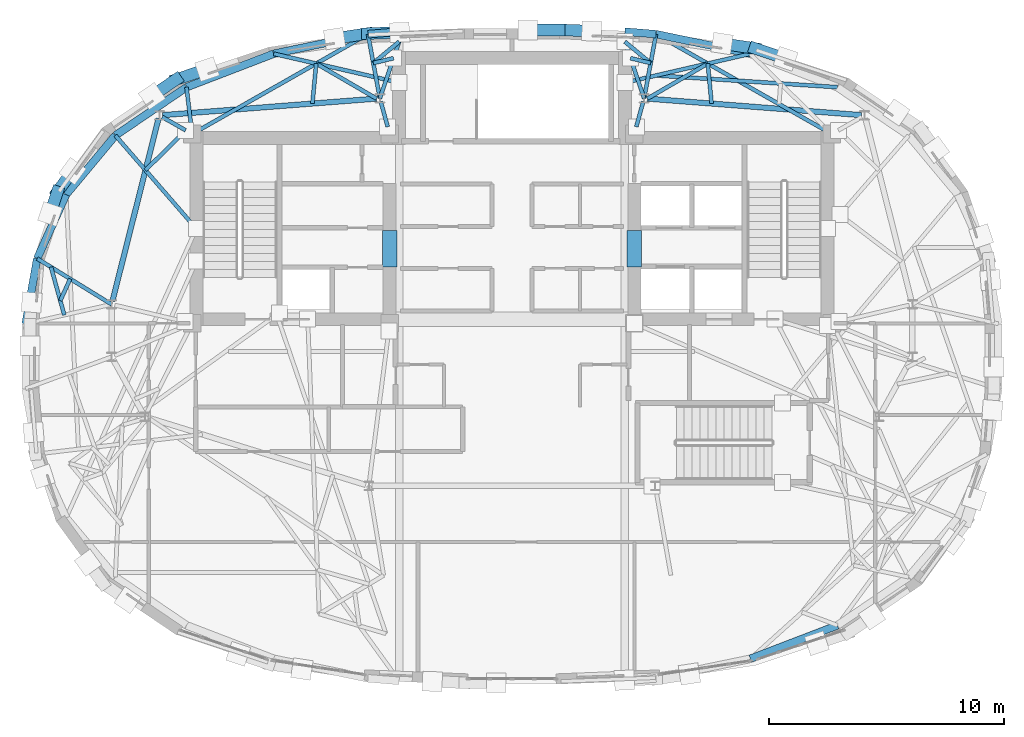
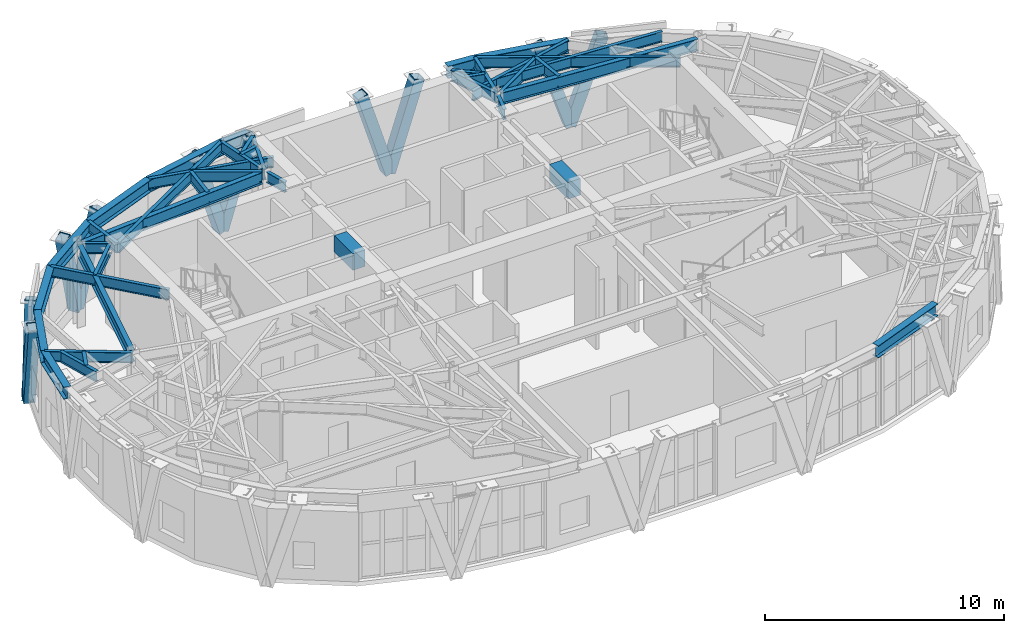
# One storey, part 5 of 16: 41 beams, 10 members.
"""IFC4 building model written with IfcOpenShell, lengths in metres."""

from ifc_helpers import new_model, si_unit, direction, frame, origin, origin_2d, place, context, subcontext, project, spatial, rectangle, hollow_rectangle, i_section, extrude, material, material_profile, profile_set, type_object, element, save


model = new_model("IFC4")

# Units and contexts
model_context = context("Model", 3, precision=1e-05, world=origin(), true_north=direction((0.0, 1.0)))
body_context = subcontext(model_context, "Body", "Model", "MODEL_VIEW")
ifc_project = project(units=[si_unit("LENGTHUNIT", "METRE"), si_unit("AREAUNIT", "SQUARE_METRE"), si_unit("VOLUMEUNIT", "CUBIC_METRE"), si_unit("PLANEANGLEUNIT", "RADIAN"), si_unit("MASSUNIT", "GRAM", prefix="KILO")], contexts=[model_context])

# Site, building, storey
site_placement = place(None, origin())
site = spatial("IfcSite", under=ifc_project, at=site_placement, CompositionType="ELEMENT")
building_placement = place(site_placement, origin())
building = spatial("IfcBuilding", under=site, at=building_placement, Name="Keldmark Tower", CompositionType="ELEMENT")
storey_placement = place(building_placement, frame((0.0, 0.0, 264.800048828125)))
storey = spatial("IfcBuildingStorey", under=building, at=storey_placement, Name="L75", CompositionType="ELEMENT", Elevation=264.800048828125)

# Beams
ifc_material_1 = material(Name="Concrete C50/60", Category="concrete")
ifc_material_profile_1 = material_profile(ifc_material_1, rectangle(XDim=0.60009765625, YDim=0.85009765625, at=origin_2d()), Name="RCB600X850")
ifc_profile_set_1 = profile_set([ifc_material_profile_1], Name="Concrete C50/60")
beam_type_1 = type_object("IfcBeamType", Name="Core Coupling Beam RCB600X850", PredefinedType="USERDEFINED", material=ifc_profile_set_1)
for number, where, z_axis, x_axis, name in (
    (1, (-5.199951171875, 3.800048828125, 3.77490234375), (0.0, 1.0, 0.0), (-1.0, 0.0, 0.0), "L75 West Core Coupling Beam"),
    (2, (5.199951171875, 3.800048828125, 3.77490234375), (0.0, 1.0, 0.0), (-1.0, 0.0, 0.0), "L75 East Core Coupling Beam"),
):
    element("IfcBeam", number, at=place(storey_placement, frame(where, z_axis=z_axis, x_axis=x_axis)), inside=storey, type_object=beam_type_1, Name=name, ObjectType="COUPLING BEAM", PredefinedType="USERDEFINED", context=body_context, shape_type="SweptSolid", body=[
        extrude(rectangle(XDim=0.60009765625, YDim=0.85009765625, at=origin_2d()), origin(), (0.0, 0.0, 1.0), 1.550048828125),
    ])

# Members
ifc_material_2 = material(Name="Steel ASTM A572 Grade 50", Category="steel")
ifc_material_profile_2 = material_profile(ifc_material_2, hollow_rectangle(XDim=0.5, YDim=0.5, WallThickness=0.030029296875, at=origin_2d()), Name="BOX500X500X30")
ifc_profile_set_2 = profile_set([ifc_material_profile_2], Name="Steel ASTM A572 Grade 50")
member_type = type_object("IfcMemberType", Name="Diagrid Upper Brace BOX500X500X30", PredefinedType="BRACE", material=ifc_profile_set_2)
member_1_placement = place(storey_placement, frame((10.322998046875, 13.094970703125, -0.300048828125), z_axis=(0.286614020453, -0.095697413948, 0.95325463977), x_axis=(0.316702516416, 0.948524915907, 0.0)))
element("IfcMember", 3, at=member_1_placement, inside=storey, type_object=member_type, Name="L75 Perimeter Diagrid Brace 03A", PredefinedType="BRACE", context=body_context, shape_type="SweptSolid", body=[
    extrude(hollow_rectangle(XDim=0.5, YDim=0.5, WallThickness=0.030029296875, at=origin_2d()), origin(), (0.0, 0.0, 1.0), 4.5947265625),
])
member_2_placement = place(storey_placement, frame((10.3330078125, 13.08837890625, -0.300048828125), z_axis=(-0.303882465581, 0.046200318995, 0.951588659893), x_axis=(-0.150306332769, -0.988639472371, 0.0)))
element("IfcMember", 4, at=member_2_placement, inside=storey, type_object=member_type, Name="L75 Perimeter Diagrid Brace 03B", PredefinedType="BRACE", context=body_context, shape_type="SweptSolid", body=[
    extrude(hollow_rectangle(XDim=0.5, YDim=0.5, WallThickness=0.030029296875, at=origin_2d()), origin(), (0.0, 0.0, 1.0), 4.602783203125),
])
member_3_placement = place(storey_placement, frame((2.0078125, 13.881591796875, -0.300048828125), z_axis=(0.300518283394, -0.011589065236, 0.953705643746), x_axis=(0.038534951554, 0.999257252918, 0.0)))
element("IfcMember", 5, at=member_3_placement, inside=storey, type_object=member_type, Name="L75 Perimeter Diagrid Brace 04A", PredefinedType="BRACE", context=body_context, shape_type="SweptSolid", body=[
    extrude(hollow_rectangle(XDim=0.5, YDim=0.5, WallThickness=0.030029296875, at=origin_2d()), origin(), (0.0, 0.0, 1.0), 4.592529296875),
])
member_4_placement = place(storey_placement, frame((2.019287109375, 13.87939453125, -0.300048828125), z_axis=(-0.294572421732, 0.0, 0.955629158385), x_axis=(0.0, -1.0, 0.0)))
element("IfcMember", 6, at=member_4_placement, inside=storey, type_object=member_type, Name="L75 Perimeter Diagrid Brace 04B", PredefinedType="BRACE", context=body_context, shape_type="SweptSolid", body=[
    extrude(hollow_rectangle(XDim=0.5, YDim=0.5, WallThickness=0.030029296875, at=origin_2d()), origin(), (0.0, 0.0, 1.0), 4.583251953125),
])
member_5_placement = place(storey_placement, frame((-6.159912109375, 13.719482421875, -0.300048828125), z_axis=(0.300566642063, 0.01158888008, 0.953690406546), x_axis=(-0.038528146152, 0.999257515335, 0.0)))
element("IfcMember", 7, at=member_5_placement, inside=storey, type_object=member_type, Name="L75 Perimeter Diagrid Brace 05A", PredefinedType="BRACE", context=body_context, shape_type="SweptSolid", body=[
    extrude(hollow_rectangle(XDim=0.5, YDim=0.5, WallThickness=0.030029296875, at=origin_2d()), origin(), (0.0, 0.0, 1.0), 4.592529296875),
])
member_6_placement = place(storey_placement, frame((-6.148193359375, 13.7216796875, -0.300048828125), z_axis=(-0.30388320985, -0.046147389173, 0.951590990523), x_axis=(0.150137657308, -0.988665101972, 0.0)))
element("IfcMember", 8, at=member_6_placement, inside=storey, type_object=member_type, Name="L75 Perimeter Diagrid Brace 05B", PredefinedType="BRACE", context=body_context, shape_type="SweptSolid", body=[
    extrude(hollow_rectangle(XDim=0.5, YDim=0.5, WallThickness=0.030029296875, at=origin_2d()), origin(), (0.0, 0.0, 1.0), 4.602783203125),
])
member_7_placement = place(storey_placement, frame((-14.283203125, 11.769287109375, -0.300048828125), z_axis=(0.286614020453, 0.095697413948, 0.95325463977), x_axis=(-0.316702516416, 0.948524915907, 0.0)))
element("IfcMember", 9, at=member_7_placement, inside=storey, type_object=member_type, Name="L75 Perimeter Diagrid Brace 06A", PredefinedType="BRACE", context=body_context, shape_type="SweptSolid", body=[
    extrude(hollow_rectangle(XDim=0.5, YDim=0.5, WallThickness=0.030029296875, at=origin_2d()), origin(), (0.0, 0.0, 1.0), 4.5947265625),
])
member_8_placement = place(storey_placement, frame((-14.2734375, 11.775634765625, -0.300048828125), z_axis=(-0.228747606624, -0.155034092171, 0.961061373029), x_axis=(0.561036738191, -0.827790902583, 0.0)))
element("IfcMember", 10, at=member_8_placement, inside=storey, type_object=member_type, Name="L75 Perimeter Diagrid Brace 06B", PredefinedType="BRACE", context=body_context, shape_type="SweptSolid", body=[
    extrude(hollow_rectangle(XDim=0.5, YDim=0.5, WallThickness=0.030029296875, at=origin_2d()), origin(), (0.0, 0.0, 1.0), 4.557373046875),
])
member_9_placement = place(storey_placement, frame((-19.338134765625, 6.986083984375, -0.300048828125), z_axis=(0.143617512478, 0.19761596749, 0.969701984892), x_axis=(-0.808936967697, 0.5878953838, 0.0)))
element("IfcMember", 11, at=member_9_placement, inside=storey, type_object=member_type, Name="L75 Perimeter Diagrid Brace 07A", PredefinedType="BRACE", context=body_context, shape_type="SweptSolid", body=[
    extrude(hollow_rectangle(XDim=0.5, YDim=0.5, WallThickness=0.030029296875, at=origin_2d()), origin(), (0.0, 0.0, 1.0), 4.516845703125),
])
member_10_placement = place(storey_placement, frame((-19.33154296875, 6.995849609375, -0.300048828125), z_axis=(-0.069835665886, -0.211028708665, 0.974981981315), x_axis=(0.949365654969, -0.314173285252, 0.0)))
element("IfcMember", 12, at=member_10_placement, inside=storey, type_object=member_type, Name="L75 Perimeter Diagrid Brace 07B", PredefinedType="BRACE", context=body_context, shape_type="SweptSolid", body=[
    extrude(hollow_rectangle(XDim=0.5, YDim=0.5, WallThickness=0.030029296875, at=origin_2d()), origin(), (0.0, 0.0, 1.0), 4.4921875),
])

# Beams
ifc_material_3 = material(Name="Steel ASTM A992 Grade 50", Category="steel")
ifc_material_profile_3 = material_profile(ifc_material_3, i_section(OverallWidth=0.22802734375, OverallDepth=0.60302734375, WebThickness=0.010498046875, FlangeThickness=0.014892578125, at=origin_2d()), Name="W24X68")
ifc_profile_set_3 = profile_set([ifc_material_profile_3], Name="Steel ASTM A992 Grade 50")
beam_type_2 = type_object("IfcBeamType", Name="Primary Floor Girder W24X68", PredefinedType="BEAM", material=ifc_profile_set_3)
for number, where, z_axis, x_axis, name in (
    (13, (14.856201171875, 10.25439453125, 3.8984375), (-0.997037147832, 0.076921556421, 0.0), (-0.076921556421, -0.997037147832, 0.0), "L75 Floor Ring Girder FG-R02"),
    (14, (-5.75830078125, 10.956298828125, 3.8984375), (-0.997037147832, -0.076921556421, 0.0), (0.076921556421, -0.997037147832, 0.0), "L75 Floor Ring Girder FG-R04"),
):
    element("IfcBeam", number, at=place(storey_placement, frame(where, z_axis=z_axis, x_axis=x_axis)), inside=storey, type_object=beam_type_2, Name=name, PredefinedType="BEAM", context=body_context, shape_type="SweptSolid", body=[
        extrude(i_section(OverallWidth=0.22802734375, OverallDepth=0.60302734375, WebThickness=0.010498046875, FlangeThickness=0.014892578125, at=origin_2d()), origin(), (0.0, 0.0, 1.0), 9.125),
    ])
beam_1_placement = place(storey_placement, frame((-15.030029296875, 10.10791015625, 3.8984375), z_axis=(-0.244902129455, -0.969547805417, 0.0), x_axis=(0.969547805417, -0.244902129455, 0.0)))
element("IfcBeam", 15, at=beam_1_placement, inside=storey, type_object=beam_type_2, Name="L75 Floor Ring Girder FG-R05", PredefinedType="BEAM", context=body_context, shape_type="SweptSolid", body=[
    extrude(i_section(OverallWidth=0.22802734375, OverallDepth=0.60302734375, WebThickness=0.010498046875, FlangeThickness=0.014892578125, at=origin_2d()), origin(), (0.0, 0.0, 1.0), 8.008056640625),
])
ifc_material_4 = material(Name="Steel ASTM A992 Grade 50", Category="steel")
ifc_material_profile_4 = material_profile(ifc_material_4, i_section(OverallWidth=0.166015625, OverallDepth=0.529052734375, WebThickness=0.009765625, FlangeThickness=0.013671875, at=origin_2d()), Name="W21X50")
ifc_profile_set_4 = profile_set([ifc_material_profile_4], Name="Steel ASTM A992 Grade 50")
beam_type_3 = type_object("IfcBeamType", Name="Radial Tie Girder W21X50", PredefinedType="BEAM", material=ifc_profile_set_4)
for number, where, z_axis, x_axis, name in (
    (16, (5.581298828125, 10.83203125, 3.935546875), (-0.265936023434, -0.963990680163, 0.0), (0.963990680163, -0.265936023434, 0.0), "L75 Floor Radial Girder FG-C03"),
    (17, (-5.581298828125, 10.83203125, 3.935546875), (0.265936023434, -0.963990680163, 0.0), (0.963990680163, 0.265936023434, 0.0), "L75 Floor Radial Girder FG-C04"),
):
    element("IfcBeam", number, at=place(storey_placement, frame(where, z_axis=z_axis, x_axis=x_axis)), inside=storey, type_object=beam_type_3, Name=name, PredefinedType="BEAM", context=body_context, shape_type="SweptSolid", body=[
        extrude(i_section(OverallWidth=0.166015625, OverallDepth=0.529052734375, WebThickness=0.009765625, FlangeThickness=0.013671875, at=origin_2d()), origin(), (0.0, 0.0, 1.0), 1.113525390625),
    ])
beam_2_placement = place(storey_placement, frame((-14.8740234375, 10.174560546875, 3.935546875), z_axis=(0.869238046195, -0.494393789451, 0.0), x_axis=(0.494393789451, 0.869238046195, 0.0)))
element("IfcBeam", 18, at=beam_2_placement, inside=storey, type_object=beam_type_3, Name="L75 Floor Radial Girder FG-C05", PredefinedType="BEAM", context=body_context, shape_type="SweptSolid", body=[
    extrude(i_section(OverallWidth=0.166015625, OverallDepth=0.529052734375, WebThickness=0.009765625, FlangeThickness=0.013671875, at=origin_2d()), origin(), (0.0, 0.0, 1.0), 1.145751953125),
])
beam_3_placement = place(storey_placement, frame((5.61865234375, 10.967041015625, 3.935546875), z_axis=(0.182212071785, 0.983259254162, 0.0), x_axis=(-0.983259254162, 0.182212071785, 0.0)))
element("IfcBeam", 19, at=beam_3_placement, inside=storey, type_object=beam_type_3, Name="L75 Perimeter Column Bracket CRT-E01", PredefinedType="BEAM", context=body_context, shape_type="SweptSolid", body=[
    extrude(i_section(OverallWidth=0.166015625, OverallDepth=0.529052734375, WebThickness=0.009765625, FlangeThickness=0.013671875, at=origin_2d()), origin(), (0.0, 0.0, 1.0), 2.776123046875),
])
beam_4_placement = place(storey_placement, frame((5.896728515625, 12.468505859375, 3.935546875), z_axis=(-0.972236456863, 0.234000581083, 0.0), x_axis=(-0.234000581083, -0.972236456863, 0.0)))
element("IfcBeam", 20, at=beam_4_placement, inside=storey, type_object=beam_type_3, Name="L75 Framing Pin Header PH-010", PredefinedType="BEAM", context=body_context, shape_type="SweptSolid", body=[
    extrude(i_section(OverallWidth=0.166015625, OverallDepth=0.529052734375, WebThickness=0.009765625, FlangeThickness=0.013671875, at=origin_2d()), origin(), (0.0, 0.0, 1.0), 0.882568359375),
])
beam_5_placement = place(storey_placement, frame((5.61865234375, 10.967041015625, 3.935546875), z_axis=(-0.321574314246, 0.946884343738, 0.0), x_axis=(-0.946884343738, -0.321574314246, 0.0)))
element("IfcBeam", 21, at=beam_5_placement, inside=storey, type_object=beam_type_3, Name="L75 Intermediate Radial Step Girder CRT-E16M", PredefinedType="BEAM", context=body_context, shape_type="SweptSolid", body=[
    extrude(i_section(OverallWidth=0.166015625, OverallDepth=0.529052734375, WebThickness=0.009765625, FlangeThickness=0.013671875, at=origin_2d()), origin(), (0.0, 0.0, 1.0), 2.545654296875),
])
beam_6_placement = place(storey_placement, frame((5.896728515625, 12.468505859375, 3.935546875), z_axis=(-0.769932534489, 0.63812529517, 0.0), x_axis=(-0.63812529517, -0.769932534489, 0.0)))
element("IfcBeam", 22, at=beam_6_placement, inside=storey, type_object=beam_type_3, Name="L75 Local Collector Chord CRT-E16C", PredefinedType="BEAM", context=body_context, shape_type="SweptSolid", body=[
    extrude(i_section(OverallWidth=0.166015625, OverallDepth=0.529052734375, WebThickness=0.009765625, FlangeThickness=0.013671875, at=origin_2d()), origin(), (0.0, 0.0, 1.0), 1.42431640625),
])
beam_7_placement = place(storey_placement, frame((13.60009765625, 9.449951171875, 3.935546875), z_axis=(-0.869489819155, 0.493950862319, 0.0), x_axis=(-0.493950862319, -0.869489819155, 0.0)))
element("IfcBeam", 23, at=beam_7_placement, inside=storey, type_object=beam_type_3, Name="L75 Straddling Support Chord CRT-E02RB", PredefinedType="BEAM", context=body_context, shape_type="SweptSolid", body=[
    extrude(i_section(OverallWidth=0.166015625, OverallDepth=0.529052734375, WebThickness=0.009765625, FlangeThickness=0.013671875, at=origin_2d()), origin(), (0.0, 0.0, 1.0), 8.59765625),
])
beam_8_placement = place(storey_placement, frame((8.487548828125, 10.745849609375, 3.935546875), z_axis=(-0.095018119162, 0.995475543161, 0.0), x_axis=(-0.995475543161, -0.095018119162, 0.0)))
element("IfcBeam", 24, at=beam_8_placement, inside=storey, type_object=beam_type_3, Name="L75 Framing Pin Header PH-011", PredefinedType="BEAM", context=body_context, shape_type="SweptSolid", body=[
    extrude(i_section(OverallWidth=0.166015625, OverallDepth=0.529052734375, WebThickness=0.009765625, FlangeThickness=0.013671875, at=origin_2d()), origin(), (0.0, 0.0, 1.0), 1.708740234375),
])
beam_9_placement = place(storey_placement, frame((4.800048828125, 11.63330078125, 3.935546875), z_axis=(0.974397957788, 0.224830202284, 0.0), x_axis=(-0.224830202284, 0.974397957788, 0.0)))
element("IfcBeam", 25, at=beam_9_placement, inside=storey, type_object=beam_type_3, Name="L75 Perimeter Radial Tie Girder CRT-E02R", PredefinedType="BEAM", context=body_context, shape_type="SweptSolid", body=[
    extrude(i_section(OverallWidth=0.166015625, OverallDepth=0.529052734375, WebThickness=0.009765625, FlangeThickness=0.013671875, at=origin_2d()), origin(), (0.0, 0.0, 1.0), 5.47607421875),
])
beam_10_placement = place(storey_placement, frame((6.134033203125, 11.941162109375, 3.935546875), z_axis=(0.997904225233, -0.064708247246, 0.0), x_axis=(0.064708247246, 0.997904225233, 0.0)))
element("IfcBeam", 26, at=beam_10_placement, inside=storey, type_object=beam_type_3, Name="L75 Perimeter Radial Tie Girder CRT-E03R", PredefinedType="BEAM", context=body_context, shape_type="SweptSolid", body=[
    extrude(i_section(OverallWidth=0.166015625, OverallDepth=0.529052734375, WebThickness=0.009765625, FlangeThickness=0.013671875, at=origin_2d()), origin(), (0.0, 0.0, 1.0), 7.72314453125),
])
beam_11_placement = place(storey_placement, frame((8.3251953125, 12.44677734375, 3.935546875), z_axis=(-0.864785490133, -0.50214147016, 0.0), x_axis=(0.50214147016, -0.864785490133, 0.0)))
element("IfcBeam", 27, at=beam_11_placement, inside=storey, type_object=beam_type_3, Name="L75 Straddling Support Chord CRT-E16RB", PredefinedType="BEAM", context=body_context, shape_type="SweptSolid", body=[
    extrude(i_section(OverallWidth=0.166015625, OverallDepth=0.529052734375, WebThickness=0.009765625, FlangeThickness=0.013671875, at=origin_2d()), origin(), (0.0, 0.0, 1.0), 2.96826171875),
])
beam_12_placement = place(storey_placement, frame((-17.025634765625, 2.2080078125, 3.935546875), z_axis=(-0.851698929261, 0.524031424531, 0.0), x_axis=(-0.524031424531, -0.851698929261, 0.0)))
element("IfcBeam", 28, at=beam_12_placement, inside=storey, type_object=beam_type_3, Name="L75 Perimeter Column Bracket CRT-W09", PredefinedType="BEAM", context=body_context, shape_type="SweptSolid", body=[
    extrude(i_section(OverallWidth=0.166015625, OverallDepth=0.529052734375, WebThickness=0.009765625, FlangeThickness=0.013671875, at=origin_2d()), origin(), (0.0, 0.0, 1.0), 3.715087890625),
])
beam_13_placement = place(storey_placement, frame((-19.03662109375, 1.753662109375, 3.935546875), z_axis=(-0.268048005387, 0.963405556766, 0.0), x_axis=(-0.963405556766, -0.268048005387, 0.0)))
element("IfcBeam", 29, at=beam_13_placement, inside=storey, type_object=beam_type_3, Name="L75 Framing Pin Header PH-016", PredefinedType="BEAM", context=body_context, shape_type="SweptSolid", body=[
    extrude(i_section(OverallWidth=0.166015625, OverallDepth=0.529052734375, WebThickness=0.009765625, FlangeThickness=0.013671875, at=origin_2d()), origin(), (0.0, 0.0, 1.0), 2.11865234375),
])
beam_14_placement = place(storey_placement, frame((-19.20703125, 2.365966796875, 3.935546875), z_axis=(0.412300755447, 0.911047796253, 0.0), x_axis=(-0.911047796253, 0.412300755447, 0.0)))
element("IfcBeam", 30, at=beam_14_placement, inside=storey, type_object=beam_type_3, Name="L75 Framing Pin Header PH-017", PredefinedType="BEAM", context=body_context, shape_type="SweptSolid", body=[
    extrude(i_section(OverallWidth=0.166015625, OverallDepth=0.529052734375, WebThickness=0.009765625, FlangeThickness=0.013671875, at=origin_2d()), origin(), (0.0, 0.0, 1.0), 1.0166015625),
])
beam_15_placement = place(storey_placement, frame((-13.878173828125, 9.608154296875, 3.935546875), z_axis=(-0.709539117679, -0.704666048907, 0.0), x_axis=(0.704666048907, -0.709539117679, 0.0)))
element("IfcBeam", 31, at=beam_15_placement, inside=storey, type_object=beam_type_3, Name="L75 Framing Pin Header PH-018", PredefinedType="BEAM", context=body_context, shape_type="SweptSolid", body=[
    extrude(i_section(OverallWidth=0.166015625, OverallDepth=0.529052734375, WebThickness=0.009765625, FlangeThickness=0.013671875, at=origin_2d()), origin(), (0.0, 0.0, 1.0), 2.40478515625),
])
beam_16_placement = place(storey_placement, frame((-13.425048828125, 5.425048828125, 3.935546875), z_axis=(-0.655390775295, 0.755289965284, 0.0), x_axis=(-0.755289965284, -0.655390775295, 0.0)))
element("IfcBeam", 32, at=beam_16_placement, inside=storey, type_object=beam_type_3, Name="L75 Perimeter Radial Tie Girder CRT-W11", PredefinedType="BEAM", context=body_context, shape_type="SweptSolid", body=[
    extrude(i_section(OverallWidth=0.166015625, OverallDepth=0.529052734375, WebThickness=0.009765625, FlangeThickness=0.013671875, at=origin_2d()), origin(), (0.0, 0.0, 1.0), 5.24951171875),
])
beam_17_placement = place(storey_placement, frame((-5.61865234375, 10.967041015625, 3.935546875), z_axis=(-0.182212071785, 0.983259254162, 0.0), x_axis=(-0.983259254162, -0.182212071785, 0.0)))
element("IfcBeam", 33, at=beam_17_placement, inside=storey, type_object=beam_type_3, Name="L75 Perimeter Column Bracket CRT-W14", PredefinedType="BEAM", context=body_context, shape_type="SweptSolid", body=[
    extrude(i_section(OverallWidth=0.166015625, OverallDepth=0.529052734375, WebThickness=0.009765625, FlangeThickness=0.013671875, at=origin_2d()), origin(), (0.0, 0.0, 1.0), 2.776123046875),
])
beam_18_placement = place(storey_placement, frame((-5.896728515625, 12.468505859375, 3.935546875), z_axis=(0.972236456863, 0.234000581083, 0.0), x_axis=(-0.234000581083, 0.972236456863, 0.0)))
element("IfcBeam", 34, at=beam_18_placement, inside=storey, type_object=beam_type_3, Name="L75 Framing Pin Header PH-019", PredefinedType="BEAM", context=body_context, shape_type="SweptSolid", body=[
    extrude(i_section(OverallWidth=0.166015625, OverallDepth=0.529052734375, WebThickness=0.009765625, FlangeThickness=0.013671875, at=origin_2d()), origin(), (0.0, 0.0, 1.0), 0.882568359375),
])
beam_19_placement = place(storey_placement, frame((-5.61865234375, 10.967041015625, 3.935546875), z_axis=(0.321574314246, 0.946884343738, 0.0), x_axis=(-0.946884343738, 0.321574314246, 0.0)))
element("IfcBeam", 35, at=beam_19_placement, inside=storey, type_object=beam_type_3, Name="L75 Intermediate Radial Step Girder CRT-W15M", PredefinedType="BEAM", context=body_context, shape_type="SweptSolid", body=[
    extrude(i_section(OverallWidth=0.166015625, OverallDepth=0.529052734375, WebThickness=0.009765625, FlangeThickness=0.013671875, at=origin_2d()), origin(), (0.0, 0.0, 1.0), 2.545654296875),
])
beam_20_placement = place(storey_placement, frame((-5.896728515625, 12.468505859375, 3.935546875), z_axis=(0.769932534489, 0.63812529517, 0.0), x_axis=(-0.63812529517, 0.769932534489, 0.0)))
element("IfcBeam", 36, at=beam_20_placement, inside=storey, type_object=beam_type_3, Name="L75 Local Collector Chord CRT-W15C", PredefinedType="BEAM", context=body_context, shape_type="SweptSolid", body=[
    extrude(i_section(OverallWidth=0.166015625, OverallDepth=0.529052734375, WebThickness=0.009765625, FlangeThickness=0.013671875, at=origin_2d()), origin(), (0.0, 0.0, 1.0), 1.42431640625),
])
beam_21_placement = place(storey_placement, frame((-6.12451171875, 13.69677734375, 3.935546875), z_axis=(-0.869489819155, -0.493950862319, 0.0), x_axis=(0.493950862319, -0.869489819155, 0.0)))
element("IfcBeam", 37, at=beam_21_placement, inside=storey, type_object=beam_type_3, Name="L75 Straddling Support Chord CRT-W12RB", PredefinedType="BEAM", context=body_context, shape_type="SweptSolid", body=[
    extrude(i_section(OverallWidth=0.166015625, OverallDepth=0.529052734375, WebThickness=0.009765625, FlangeThickness=0.013671875, at=origin_2d()), origin(), (0.0, 0.0, 1.0), 8.59765625),
])
beam_22_placement = place(storey_placement, frame((-8.487548828125, 10.745849609375, 3.935546875), z_axis=(0.095018119162, 0.995475543161, 0.0), x_axis=(-0.995475543161, 0.095018119162, 0.0)))
element("IfcBeam", 38, at=beam_22_placement, inside=storey, type_object=beam_type_3, Name="L75 Framing Pin Header PH-023", PredefinedType="BEAM", context=body_context, shape_type="SweptSolid", body=[
    extrude(i_section(OverallWidth=0.166015625, OverallDepth=0.529052734375, WebThickness=0.009765625, FlangeThickness=0.013671875, at=origin_2d()), origin(), (0.0, 0.0, 1.0), 1.708740234375),
])
beam_23_placement = place(storey_placement, frame((-4.800048828125, 11.63330078125, 3.935546875), z_axis=(-0.974397957788, 0.224830202284, 0.0), x_axis=(-0.224830202284, -0.974397957788, 0.0)))
element("IfcBeam", 39, at=beam_23_placement, inside=storey, type_object=beam_type_3, Name="L75 Perimeter Radial Tie Girder CRT-W13R", PredefinedType="BEAM", context=body_context, shape_type="SweptSolid", body=[
    extrude(i_section(OverallWidth=0.166015625, OverallDepth=0.529052734375, WebThickness=0.009765625, FlangeThickness=0.013671875, at=origin_2d()), origin(), (0.0, 0.0, 1.0), 5.47607421875),
])
beam_24_placement = place(storey_placement, frame((-5.75830078125, 10.956298828125, 3.935546875), z_axis=(-0.864785490133, 0.50214147016, 0.0), x_axis=(-0.50214147016, -0.864785490133, 0.0)))
element("IfcBeam", 40, at=beam_24_placement, inside=storey, type_object=beam_type_3, Name="L75 Straddling Support Chord CRT-W15RB", PredefinedType="BEAM", context=body_context, shape_type="SweptSolid", body=[
    extrude(i_section(OverallWidth=0.166015625, OverallDepth=0.529052734375, WebThickness=0.009765625, FlangeThickness=0.013671875, at=origin_2d()), origin(), (0.0, 0.0, 1.0), 2.96826171875),
])
beam_25_placement = place(storey_placement, frame((-13.60009765625, 9.449951171875, 3.935546875), z_axis=(-0.120124188713, 0.992758872681, 0.0), x_axis=(-0.992758872681, -0.120124188713, 0.0)))
element("IfcBeam", 41, at=beam_25_placement, inside=storey, type_object=beam_type_3, Name="L75 Perimeter Column Bracket CRT-W12G", PredefinedType="BEAM", context=body_context, shape_type="SweptSolid", body=[
    extrude(i_section(OverallWidth=0.166015625, OverallDepth=0.529052734375, WebThickness=0.009765625, FlangeThickness=0.013671875, at=origin_2d()), origin(), (0.0, 0.0, 1.0), 2.005859375),
])
ifc_material_5 = material(Name="Steel ASTM A992 Grade 50", Category="steel")
ifc_material_profile_5 = material_profile(ifc_material_5, i_section(OverallWidth=0.326904296875, OverallDepth=0.6220703125, WebThickness=0.015380859375, FlangeThickness=0.0244140625, at=origin_2d()), Name="W24X131")
ifc_profile_set_5 = profile_set([ifc_material_profile_5], Name="Steel ASTM A992 Grade 50")
beam_type_4 = type_object("IfcBeamType", Name="Spandrel Ring Beam W24X131", PredefinedType="SPANDREL", material=ifc_profile_set_5)
beam_26_placement = place(storey_placement, frame((6.12451171875, 13.69677734375, 3.888916015625), z_axis=(0.97914815327, -0.203147468474, 0.0), x_axis=(0.203147468474, 0.97914815327, 0.0)))
element("IfcBeam", 42, at=beam_26_placement, inside=storey, type_object=beam_type_4, Name="L75 Crown Spandrel Ring Beam CRB-E01", PredefinedType="SPANDREL", context=body_context, shape_type="SweptSolid", body=[
    extrude(i_section(OverallWidth=0.326904296875, OverallDepth=0.6220703125, WebThickness=0.015380859375, FlangeThickness=0.0244140625, at=origin_2d()), origin(), (0.0, 0.0, 1.0), 4.096923828125),
])
beam_27_placement = place(storey_placement, frame((13.841064453125, -11.44140625, 3.888916015625), z_axis=(-0.933508802276, -0.358554481317, 0.0), x_axis=(0.358554481317, -0.933508802276, 0.0)))
element("IfcBeam", 43, at=beam_27_placement, inside=storey, type_object=beam_type_4, Name="L75 Crown Spandrel Ring Beam CRB-E12", PredefinedType="SPANDREL", context=body_context, shape_type="SweptSolid", body=[
    extrude(i_section(OverallWidth=0.326904296875, OverallDepth=0.6220703125, WebThickness=0.015380859375, FlangeThickness=0.0244140625, at=origin_2d()), origin(), (0.0, 0.0, 1.0), 3.968994140625),
])
beam_28_placement = place(storey_placement, frame((4.800048828125, 13.804931640625, 3.888916015625), z_axis=(0.996682487154, -0.081388081439, 0.0), x_axis=(0.081388081439, 0.996682487154, 0.0)))
element("IfcBeam", 44, at=beam_28_placement, inside=storey, type_object=beam_type_4, Name="L75 Crown Spandrel Ring Beam CRB-E16", PredefinedType="SPANDREL", context=body_context, shape_type="SweptSolid", body=[
    extrude(i_section(OverallWidth=0.326904296875, OverallDepth=0.6220703125, WebThickness=0.015380859375, FlangeThickness=0.0244140625, at=origin_2d()), origin(), (0.0, 0.0, 1.0), 1.328857421875),
])
beam_29_placement = place(storey_placement, frame((-20.68212890625, 1.3818359375, 3.888916015625), z_axis=(0.174848462166, 0.984595356112, 0.0), x_axis=(-0.984595356112, 0.174848462166, 0.0)))
element("IfcBeam", 45, at=beam_29_placement, inside=storey, type_object=beam_type_4, Name="L75 Crown Spandrel Ring Beam CRB-W08", PredefinedType="SPANDREL", context=body_context, shape_type="SweptSolid", body=[
    extrude(i_section(OverallWidth=0.326904296875, OverallDepth=0.6220703125, WebThickness=0.015380859375, FlangeThickness=0.0244140625, at=origin_2d()), origin(), (0.0, 0.0, 1.0), 2.81640625),
])
beam_30_placement = place(storey_placement, frame((-20.189697265625, 4.15478515625, 3.888916015625), z_axis=(0.410966493749, 0.91165044892, 0.0), x_axis=(-0.91165044892, 0.410966493749, 0.0)))
element("IfcBeam", 46, at=beam_30_placement, inside=storey, type_object=beam_type_4, Name="L75 Crown Spandrel Ring Beam CRB-W09", PredefinedType="SPANDREL", context=body_context, shape_type="SweptSolid", body=[
    extrude(i_section(OverallWidth=0.326904296875, OverallDepth=0.6220703125, WebThickness=0.015380859375, FlangeThickness=0.0244140625, at=origin_2d()), origin(), (0.0, 0.0, 1.0), 2.985107421875),
])
beam_31_placement = place(storey_placement, frame((-18.962890625, 6.876220703125, 3.888916015625), z_axis=(0.640668394671, 0.767817691949, 0.0), x_axis=(-0.767817691949, 0.640668394671, 0.0)))
element("IfcBeam", 47, at=beam_31_placement, inside=storey, type_object=beam_type_4, Name="L75 Crown Spandrel Ring Beam CRB-W10", PredefinedType="SPANDREL", context=body_context, shape_type="SweptSolid", body=[
    extrude(i_section(OverallWidth=0.326904296875, OverallDepth=0.6220703125, WebThickness=0.015380859375, FlangeThickness=0.0244140625, at=origin_2d()), origin(), (0.0, 0.0, 1.0), 3.273681640625),
])
beam_32_placement = place(storey_placement, frame((-16.865478515625, 9.389892578125, 3.888916015625), z_axis=(0.827573313879, 0.561357649058, 0.0), x_axis=(-0.561357649058, 0.827573313879, 0.0)))
element("IfcBeam", 48, at=beam_32_placement, inside=storey, type_object=beam_type_4, Name="L75 Crown Spandrel Ring Beam CRB-W11", PredefinedType="SPANDREL", context=body_context, shape_type="SweptSolid", body=[
    extrude(i_section(OverallWidth=0.326904296875, OverallDepth=0.6220703125, WebThickness=0.015380859375, FlangeThickness=0.0244140625, at=origin_2d()), origin(), (0.0, 0.0, 1.0), 3.654541015625),
])
beam_33_placement = place(storey_placement, frame((-13.841064453125, 11.44140625, 3.888916015625), z_axis=(0.933508802276, 0.358554481317, 0.0), x_axis=(-0.358554481317, 0.933508802276, 0.0)))
element("IfcBeam", 49, at=beam_33_placement, inside=storey, type_object=beam_type_4, Name="L75 Crown Spandrel Ring Beam CRB-W12", PredefinedType="SPANDREL", context=body_context, shape_type="SweptSolid", body=[
    extrude(i_section(OverallWidth=0.326904296875, OverallDepth=0.6220703125, WebThickness=0.015380859375, FlangeThickness=0.0244140625, at=origin_2d()), origin(), (0.0, 0.0, 1.0), 3.968994140625),
])
beam_34_placement = place(storey_placement, frame((-10.135986328125, 12.864501953125, 3.888916015625), z_axis=(0.97914815327, 0.203147468474, 0.0), x_axis=(-0.203147468474, 0.97914815327, 0.0)))
element("IfcBeam", 50, at=beam_34_placement, inside=storey, type_object=beam_type_4, Name="L75 Crown Spandrel Ring Beam CRB-W13", PredefinedType="SPANDREL", context=body_context, shape_type="SweptSolid", body=[
    extrude(i_section(OverallWidth=0.326904296875, OverallDepth=0.6220703125, WebThickness=0.015380859375, FlangeThickness=0.0244140625, at=origin_2d()), origin(), (0.0, 0.0, 1.0), 4.096923828125),
])
beam_35_placement = place(storey_placement, frame((-6.12451171875, 13.69677734375, 3.888916015625), z_axis=(0.996682487154, 0.081388081439, 0.0), x_axis=(-0.081388081439, 0.996682487154, 0.0)))
element("IfcBeam", 51, at=beam_35_placement, inside=storey, type_object=beam_type_4, Name="L75 Crown Spandrel Ring Beam CRB-W14", PredefinedType="SPANDREL", context=body_context, shape_type="SweptSolid", body=[
    extrude(i_section(OverallWidth=0.326904296875, OverallDepth=0.6220703125, WebThickness=0.015380859375, FlangeThickness=0.0244140625, at=origin_2d()), origin(), (0.0, 0.0, 1.0), 1.328857421875),
])

save(model, "model.ifc")
